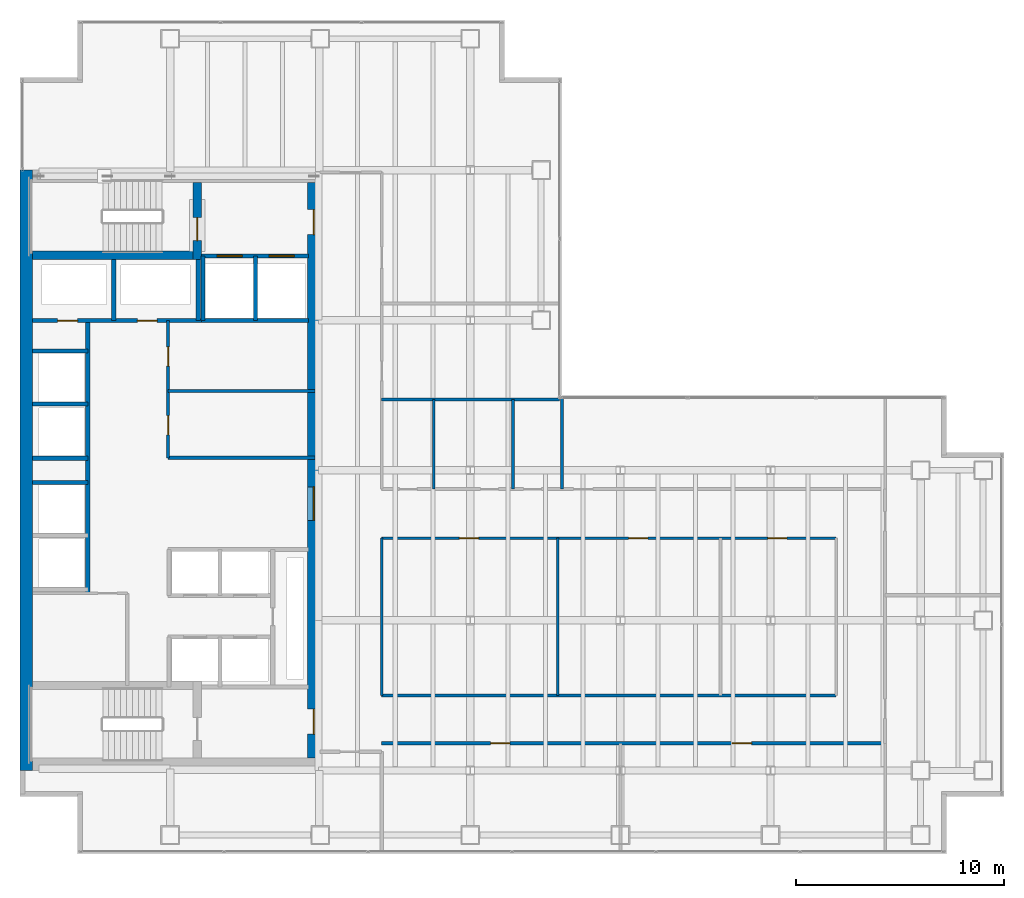
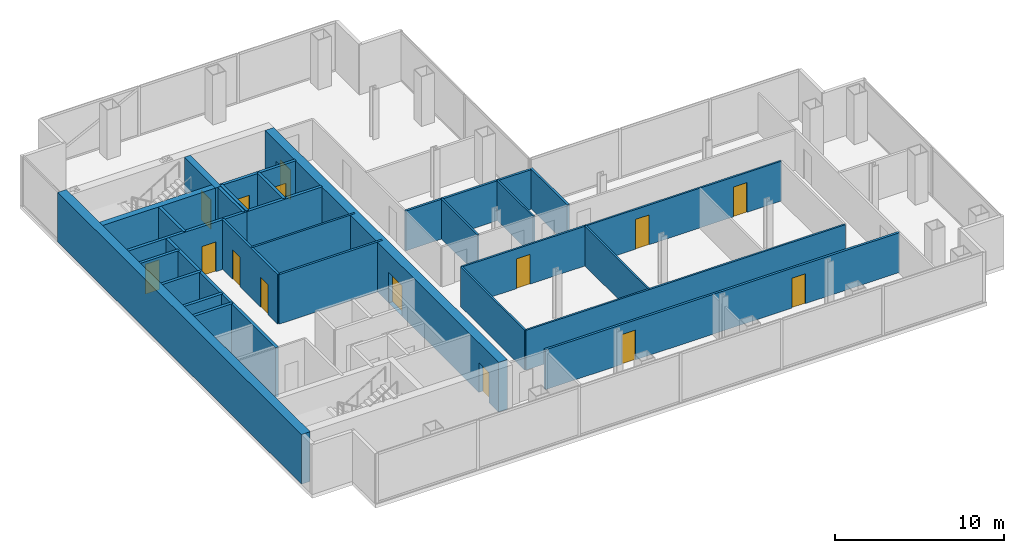
# One storey, part 21 of 23: 28 walls, 15 doors, 15 openings.
"""IFC4 building model written with IfcOpenShell, lengths in metres."""

from ifc_helpers import new_model, si_unit, direction, frame, frame_2d, origin, place, context, subcontext, project, spatial, rectangle, extrude, material, layer, layer_set, type_object, element, fill, save


model = new_model("IFC4")

# Units and contexts
model_context = context("Model", 3, precision=1e-05, world=origin(), true_north=direction((0.0, 1.0)))
body_context = subcontext(model_context, "Body", "Model", "MODEL_VIEW")
ifc_project = project(units=[si_unit("LENGTHUNIT", "METRE"), si_unit("AREAUNIT", "SQUARE_METRE"), si_unit("VOLUMEUNIT", "CUBIC_METRE"), si_unit("PLANEANGLEUNIT", "RADIAN"), si_unit("MASSUNIT", "GRAM", prefix="KILO")], contexts=[model_context])

# Site, building, storey
site_placement = place(None, origin())
site = spatial("IfcSite", under=ifc_project, at=site_placement, CompositionType="ELEMENT")
building_placement = place(site_placement, origin())
building = spatial("IfcBuilding", under=site, at=building_placement, Name="Cobrela Telecom Tower", CompositionType="ELEMENT")
storey_placement = place(building_placement, frame((0.0, 0.0, 125.300048828125)))
storey = spatial("IfcBuildingStorey", under=building, at=storey_placement, Name="L31", CompositionType="ELEMENT", Elevation=125.300048828125)

# Wall
ifc_material_1 = material(Name="Concrete C50/60", Category="concrete")
ifc_layer_1 = layer(ifc_material_1, 0.60009765625)
ifc_layer_set_1 = layer_set([ifc_layer_1], Name="Concrete C50/60")
wall_type_1 = type_object("IfcWallType", Name="WALL-CORE-C50-600", PredefinedType="SHEAR", material=ifc_layer_set_1)
wall_1_placement = place(storey_placement, frame((0.300048828125, 7.199951171875, 0.0), z_axis=(0.0, 0.0, 1.0), x_axis=(0.0, 1.0, 0.0)))
element("IfcWall", 1, at=wall_1_placement, inside=storey, type_object=wall_type_1, Name="L31 West Core Shear Wall", PredefinedType="SHEAR", context=body_context, shape_type="SweptSolid", body=[
    extrude(rectangle(XDim=28.800048828125, YDim=0.60009765625, at=frame_2d((14.39990234375, 0.0))), origin(), (0.0, 0.0, 1.0), 3.579833984375),
])

# Wall, openings, doors
wall_2_placement = place(storey_placement, frame((14.10009765625, 35.39990234375, 0.0), z_axis=(0.0, 0.0, 1.0), x_axis=(0.0, -1.0, 0.0)))
wall_2 = element("IfcWall", 2, at=wall_2_placement, inside=storey, type_object=wall_type_1, Name="L31 East Core Shear Wall", PredefinedType="SHEAR", context=body_context, shape_type="SweptSolid", body=[
    extrude(rectangle(XDim=27.599853515625, YDim=0.60009765625, at=frame_2d((13.7998046875, 0.0))), origin(), (0.0, 0.0, 1.0), 3.579833984375),
])
opening_1_placement = place(wall_2_placement, frame((1.300048828125, 0.0, 0.0)))
opening_1 = element("IfcOpeningElement", 3, at=opening_1_placement, cuts=wall_2, Name="Opening DR-19", PredefinedType="OPENING", context=body_context, shape_type="SweptSolid", body=[
    extrude(rectangle(XDim=1.199951171875, YDim=2.14990234375, at=frame_2d((0.60009765625, 1.074951171875))), frame((0.0, 0.31201171875, 0.0), z_axis=(0.0, -1.0, 0.0), x_axis=(1.0, 0.0, 0.0)), (0.0, 0.0, 1.0), 0.6240234375),
])
opening_2_placement = place(wall_2_placement, frame((25.25, 0.0, 0.0)))
opening_2 = element("IfcOpeningElement", 4, at=opening_2_placement, cuts=wall_2, Name="Opening DR-19", PredefinedType="OPENING", context=body_context, shape_type="SweptSolid", body=[
    extrude(rectangle(XDim=1.199951171875, YDim=2.14990234375, at=frame_2d((0.60009765625, 1.074951171875))), frame((0.0, 0.31201171875, 0.0), z_axis=(0.0, -1.0, 0.0), x_axis=(1.0, 0.0, 0.0)), (0.0, 0.0, 1.0), 0.6240234375),
])
opening_3_placement = place(wall_2_placement, frame((14.60009765625, 0.0, 0.0)))
opening_3 = element("IfcOpeningElement", 5, at=opening_3_placement, cuts=wall_2, Name="Opening DR-51", PredefinedType="OPENING", context=body_context, shape_type="SweptSolid", body=[
    extrude(rectangle(XDim=1.60009765625, YDim=2.199951171875, at=frame_2d((0.800048828125, 1.10009765625))), frame((0.0, 0.31201171875, 0.0), z_axis=(0.0, -1.0, 0.0), x_axis=(1.0, 0.0, 0.0)), (0.0, 0.0, 1.0), 0.6240234375),
])
ifc_material_2 = material(Name="Steel ASTM A36", Category="steel")
door_type_1 = type_object("IfcDoorType", Name="DOOR-FD60-1200", OperationType="SINGLE_SWING_LEFT", PredefinedType="DOOR", material=ifc_material_2)
door_1_placement = place(opening_1_placement, origin())
door_1 = element("IfcDoor", 6, at=door_1_placement, inside=storey, type_object=door_type_1, Name="L31 Door DR-19", OperationType="SINGLE_SWING_LEFT", OverallHeight=2.14990234375, OverallWidth=1.199951171875, PredefinedType="DOOR", context=body_context, shape_type="SweptSolid", body=[
    extrude(rectangle(XDim=1.199951171875, YDim=2.14990234375, at=frame_2d((0.60009765625, 1.074951171875))), frame((0.0, 0.02490234375, 0.0), z_axis=(0.0, -1.0, 0.0), x_axis=(1.0, 0.0, 0.0)), (0.0, 0.0, 1.0), 0.050048828125),
])
fill(opening_1, door_1)
door_2_placement = place(opening_2_placement, origin())
door_2 = element("IfcDoor", 7, at=door_2_placement, inside=storey, type_object=door_type_1, Name="L31 Door DR-19", OperationType="SINGLE_SWING_RIGHT", OverallHeight=2.14990234375, OverallWidth=1.199951171875, PredefinedType="DOOR", context=body_context, shape_type="SweptSolid", body=[
    extrude(rectangle(XDim=1.199951171875, YDim=2.14990234375, at=frame_2d((0.60009765625, 1.074951171875))), frame((0.0, 0.02490234375, 0.0), z_axis=(0.0, -1.0, 0.0), x_axis=(1.0, 0.0, 0.0)), (0.0, 0.0, 1.0), 0.050048828125),
])
fill(opening_2, door_2)
door_type_2 = type_object("IfcDoorType", Name="DOOR-FD60-1600", OperationType="SINGLE_SWING_LEFT", PredefinedType="DOOR", material=ifc_material_2)
door_3_placement = place(opening_3_placement, origin())
door_3 = element("IfcDoor", 8, at=door_3_placement, inside=storey, type_object=door_type_2, Name="L31 Door DR-51", OperationType="DOUBLE_DOOR_SINGLE_SWING", OverallHeight=2.199951171875, OverallWidth=1.60009765625, PredefinedType="DOOR", context=body_context, shape_type="SweptSolid", body=[
    extrude(rectangle(XDim=1.60009765625, YDim=2.199951171875, at=frame_2d((0.800048828125, 1.10009765625))), frame((0.0, 0.02490234375, 0.0), z_axis=(0.0, -1.0, 0.0), x_axis=(1.0, 0.0, 0.0)), (0.0, 0.0, 1.0), 0.050048828125),
])
fill(opening_3, door_3)

# Walls
ifc_material_3 = material(Name="Fire-Rated Gypsum Plasterboard")
ifc_layer_2 = layer(ifc_material_3, 0.125)
ifc_layer_set_2 = layer_set([ifc_layer_2], Name="Fire-Rated Gypsum Plasterboard")
wall_type_2 = type_object("IfcWallType", Name="WALL-PART-125", PredefinedType="PARTITIONING", material=ifc_layer_set_2)
wall_3_placement = place(storey_placement, frame((17.35009765625, 10.800048828125, 0.0), z_axis=(0.0, 0.0, 1.0), x_axis=(0.0, 1.0, 0.0)))
element("IfcWall", 9, at=wall_3_placement, inside=storey, type_object=wall_type_2, Name="L31 Interior Partition W-ISL-W", PredefinedType="PARTITIONING", context=body_context, shape_type="SweptSolid", body=[
    extrude(rectangle(XDim=7.550048828125, YDim=0.125, at=frame_2d((3.77490234375, 0.0))), origin(), (0.0, 0.0, 1.0), 2.868896484375),
])
wall_4_placement = place(storey_placement, frame((17.35009765625, 10.800048828125, 0.0), z_axis=(0.0, 0.0, 1.0), x_axis=(1.0, 0.0, 0.0)))
element("IfcWall", 10, at=wall_4_placement, inside=storey, type_object=wall_type_2, Name="L31 Interior Partition W-ISL-S", PredefinedType="PARTITIONING", context=body_context, shape_type="SweptSolid", body=[
    extrude(rectangle(XDim=21.7998046875, YDim=0.125, at=frame_2d((10.89990234375, 0.0))), origin(), (0.0, 0.0, 1.0), 2.868896484375),
])

# Wall, openings, doors
wall_5_placement = place(storey_placement, frame((17.35009765625, 18.35009765625, 0.0), z_axis=(0.0, 0.0, 1.0), x_axis=(1.0, 0.0, 0.0)))
wall_5 = element("IfcWall", 11, at=wall_5_placement, inside=storey, type_object=wall_type_2, Name="L31 Interior Partition W-ISL-N", PredefinedType="PARTITIONING", context=body_context, shape_type="SweptSolid", body=[
    extrude(rectangle(XDim=21.7998046875, YDim=0.125, at=frame_2d((10.89990234375, 0.0))), origin(), (0.0, 0.0, 1.0), 2.868896484375),
])
opening_4_placement = place(wall_5_placement, frame((3.72998046875, 0.0, 0.0)))
opening_4 = element("IfcOpeningElement", 12, at=opening_4_placement, cuts=wall_5, Name="Opening DR-45", PredefinedType="OPENING", context=body_context, shape_type="SweptSolid", body=[
    extrude(rectangle(XDim=0.919921875, YDim=2.14990234375, at=frame_2d((0.4599609375, 1.074951171875))), frame((0.0, 0.074462890625, 0.0), z_axis=(0.0, -1.0, 0.0), x_axis=(1.0, 0.0, 0.0)), (0.0, 0.0, 1.0), 0.14892578125),
])
opening_5_placement = place(wall_5_placement, frame((11.85009765625, 0.0, 0.0)))
opening_5 = element("IfcOpeningElement", 13, at=opening_5_placement, cuts=wall_5, Name="Opening DR-45", PredefinedType="OPENING", context=body_context, shape_type="SweptSolid", body=[
    extrude(rectangle(XDim=0.919921875, YDim=2.14990234375, at=frame_2d((0.4599609375, 1.074951171875))), frame((0.0, 0.074462890625, 0.0), z_axis=(0.0, -1.0, 0.0), x_axis=(1.0, 0.0, 0.0)), (0.0, 0.0, 1.0), 0.14892578125),
])
opening_6_placement = place(wall_5_placement, frame((18.52001953125, 0.0, 0.0)))
opening_6 = element("IfcOpeningElement", 14, at=opening_6_placement, cuts=wall_5, Name="Opening DR-45", PredefinedType="OPENING", context=body_context, shape_type="SweptSolid", body=[
    extrude(rectangle(XDim=0.919921875, YDim=2.14990234375, at=frame_2d((0.4599609375, 1.074951171875))), frame((0.0, 0.074462890625, 0.0), z_axis=(0.0, -1.0, 0.0), x_axis=(1.0, 0.0, 0.0)), (0.0, 0.0, 1.0), 0.14892578125),
])
ifc_material_4 = material(Name="Solid Engineered Oak Timber", Category="wood")
door_type_3 = type_object("IfcDoorType", Name="DOOR-INT-920", OperationType="SINGLE_SWING_LEFT", PredefinedType="DOOR", material=ifc_material_4)
door_4_placement = place(opening_4_placement, origin())
door_4 = element("IfcDoor", 15, at=door_4_placement, inside=storey, type_object=door_type_3, Name="L31 Door DR-45", OperationType="SINGLE_SWING_LEFT", OverallHeight=2.14990234375, OverallWidth=0.919921875, PredefinedType="DOOR", context=body_context, shape_type="SweptSolid", body=[
    extrude(rectangle(XDim=0.919921875, YDim=2.14990234375, at=frame_2d((0.4599609375, 1.074951171875))), frame((0.0, 0.02490234375, 0.0), z_axis=(0.0, -1.0, 0.0), x_axis=(1.0, 0.0, 0.0)), (0.0, 0.0, 1.0), 0.050048828125),
])
fill(opening_4, door_4)
door_5_placement = place(opening_5_placement, origin())
door_5 = element("IfcDoor", 16, at=door_5_placement, inside=storey, type_object=door_type_3, Name="L31 Door DR-45", OperationType="SINGLE_SWING_RIGHT", OverallHeight=2.14990234375, OverallWidth=0.919921875, PredefinedType="DOOR", context=body_context, shape_type="SweptSolid", body=[
    extrude(rectangle(XDim=0.919921875, YDim=2.14990234375, at=frame_2d((0.4599609375, 1.074951171875))), frame((0.0, 0.02490234375, 0.0), z_axis=(0.0, -1.0, 0.0), x_axis=(1.0, 0.0, 0.0)), (0.0, 0.0, 1.0), 0.050048828125),
])
fill(opening_5, door_5)
door_6_placement = place(opening_6_placement, origin())
door_6 = element("IfcDoor", 17, at=door_6_placement, inside=storey, type_object=door_type_3, Name="L31 Door DR-45", OperationType="SINGLE_SWING_LEFT", OverallHeight=2.14990234375, OverallWidth=0.919921875, PredefinedType="DOOR", context=body_context, shape_type="SweptSolid", body=[
    extrude(rectangle(XDim=0.919921875, YDim=2.14990234375, at=frame_2d((0.4599609375, 1.074951171875))), frame((0.0, 0.02490234375, 0.0), z_axis=(0.0, -1.0, 0.0), x_axis=(1.0, 0.0, 0.0)), (0.0, 0.0, 1.0), 0.050048828125),
])
fill(opening_6, door_6)

# Walls
wall_6_placement = place(storey_placement, frame((25.800048828125, 10.800048828125, 0.0), z_axis=(0.0, 0.0, 1.0), x_axis=(0.0, 1.0, 0.0)))
element("IfcWall", 18, at=wall_6_placement, inside=storey, type_object=wall_type_2, Name="L31 Interior Partition W-ISLV-1", PredefinedType="PARTITIONING", context=body_context, shape_type="SweptSolid", body=[
    extrude(rectangle(XDim=7.550048828125, YDim=0.125, at=frame_2d((3.77490234375, 0.0))), origin(), (0.0, 0.0, 1.0), 2.868896484375),
])
for number, where, z_axis, x_axis, name in (
    (19, (19.85009765625, 20.699951171875, 0.0), (0.0, 0.0, 1.0), (0.0, 1.0, 0.0), "L31 Interior Partition W-WC-V1"),
    (20, (23.64990234375, 20.699951171875, 0.0), (0.0, 0.0, 1.0), (0.0, 1.0, 0.0), "L31 Interior Partition W-WC-V2"),
):
    element("IfcWall", number, at=place(storey_placement, frame(where, z_axis=z_axis, x_axis=x_axis)), inside=storey, type_object=wall_type_2, Name=name, PredefinedType="PARTITIONING", context=body_context, shape_type="SweptSolid", body=[
        extrude(rectangle(XDim=4.300048828125, YDim=0.125, at=frame_2d((2.14990234375, 0.0))), origin(), (0.0, 0.0, 1.0), 2.868896484375),
    ])
ifc_layer_3 = layer(ifc_material_3, 0.135009765625)
ifc_layer_set_3 = layer_set([ifc_layer_3], Name="Fire-Rated Gypsum Plasterboard")
wall_type_3 = type_object("IfcWallType", Name="WALL-PART-135", PredefinedType="PARTITIONING", material=ifc_layer_set_3)
wall_7_placement = place(storey_placement, frame((7.10009765625, 25.39990234375, 0.0), z_axis=(0.0, 0.0, 1.0), x_axis=(1.0, 0.0, 0.0)))
element("IfcWall", 21, at=wall_7_placement, inside=storey, type_object=wall_type_3, Name="L31 Interior Partition CW-RECL-H", PredefinedType="PARTITIONING", context=body_context, shape_type="SweptSolid", body=[
    extrude(rectangle(XDim=7.0498046875, YDim=0.135009765625, at=frame_2d((3.52490234375, 0.0))), origin(), (0.0, 0.0, 1.0), 3.579833984375),
])
ifc_layer_4 = layer(ifc_material_3, 0.14990234375)
ifc_layer_set_4 = layer_set([ifc_layer_4], Name="Fire-Rated Gypsum Plasterboard")
wall_type_4 = type_object("IfcWallType", Name="WALL-PART-150", PredefinedType="PARTITIONING", material=ifc_layer_set_4)
wall_8_placement = place(storey_placement, frame((7.10009765625, 22.199951171875, 0.0), z_axis=(0.0, 0.0, 1.0), x_axis=(1.0, 0.0, 0.0)))
element("IfcWall", 22, at=wall_8_placement, inside=storey, type_object=wall_type_4, Name="L31 Interior Partition CW-RECL-S", PredefinedType="PARTITIONING", context=body_context, shape_type="SweptSolid", body=[
    extrude(rectangle(XDim=7.0498046875, YDim=0.14990234375, at=frame_2d((3.52490234375, 0.0))), origin(), (0.0, 0.0, 1.0), 3.579833984375),
])
wall_9_placement = place(storey_placement, frame((17.35009765625, 25.0, 0.0), z_axis=(0.0, 0.0, 1.0), x_axis=(1.0, 0.0, 0.0)))
element("IfcWall", 23, at=wall_9_placement, inside=storey, type_object=wall_type_4, Name="L31 Interior Partition W-WC-N", PredefinedType="PARTITIONING", context=body_context, shape_type="SweptSolid", body=[
    extrude(rectangle(XDim=8.52978515625, YDim=0.14990234375, at=frame_2d((4.264892578125, 0.0))), origin(), (0.0, 0.0, 1.0), 2.868896484375),
])
wall_10_placement = place(storey_placement, frame((26.0, 20.699951171875, 0.0), z_axis=(0.0, 0.0, 1.0), x_axis=(0.0, 1.0, 0.0)))
element("IfcWall", 24, at=wall_10_placement, inside=storey, type_object=wall_type_4, Name="L31 Interior Partition W-UEN-W", PredefinedType="PARTITIONING", context=body_context, shape_type="SweptSolid", body=[
    extrude(rectangle(XDim=4.380126953125, YDim=0.14990234375, at=frame_2d((2.18994140625, 0.0))), origin(), (0.0, 0.0, 1.0), 2.868896484375),
])

# Wall, openings, doors
ifc_layer_5 = layer(ifc_material_3, 0.159912109375)
ifc_layer_set_5 = layer_set([ifc_layer_5], Name="Fire-Rated Gypsum Plasterboard")
wall_type_5 = type_object("IfcWallType", Name="WALL-PART-160", PredefinedType="PARTITIONING", material=ifc_layer_set_5)
wall_11_placement = place(storey_placement, frame((7.10009765625, 22.199951171875, 0.0), z_axis=(0.0, 0.0, 1.0), x_axis=(0.0, 1.0, 0.0)))
wall_11 = element("IfcWall", 25, at=wall_11_placement, inside=storey, type_object=wall_type_5, Name="L31 Interior Partition CW-RECL-W", PredefinedType="PARTITIONING", context=body_context, shape_type="SweptSolid", body=[
    extrude(rectangle(XDim=6.580078125, YDim=0.159912109375, at=frame_2d((3.2900390625, 0.0))), origin(), (0.0, 0.0, 1.0), 3.579833984375),
])
opening_7_placement = place(wall_11_placement, frame((1.10009765625, 0.0, 0.0)))
opening_7 = element("IfcOpeningElement", 26, at=opening_7_placement, cuts=wall_11, Name="Opening DR-45", PredefinedType="OPENING", context=body_context, shape_type="SweptSolid", body=[
    extrude(rectangle(XDim=0.919921875, YDim=2.14990234375, at=frame_2d((0.4599609375, 1.074951171875))), frame((0.0, 0.091796875, 0.0), z_axis=(0.0, -1.0, 0.0), x_axis=(1.0, 0.0, 0.0)), (0.0, 0.0, 1.0), 0.183837890625),
])
opening_8_placement = place(wall_11_placement, frame((4.39990234375, 0.0, 0.0)))
opening_8 = element("IfcOpeningElement", 27, at=opening_8_placement, cuts=wall_11, Name="Opening DR-45", PredefinedType="OPENING", context=body_context, shape_type="SweptSolid", body=[
    extrude(rectangle(XDim=0.919921875, YDim=2.14990234375, at=frame_2d((0.4599609375, 1.074951171875))), frame((0.0, 0.091796875, 0.0), z_axis=(0.0, -1.0, 0.0), x_axis=(1.0, 0.0, 0.0)), (0.0, 0.0, 1.0), 0.183837890625),
])
door_7_placement = place(opening_7_placement, origin())
door_7 = element("IfcDoor", 28, at=door_7_placement, inside=storey, type_object=door_type_3, Name="L31 Door DR-45", OperationType="SINGLE_SWING_RIGHT", OverallHeight=2.14990234375, OverallWidth=0.919921875, PredefinedType="DOOR", context=body_context, shape_type="SweptSolid", body=[
    extrude(rectangle(XDim=0.919921875, YDim=2.14990234375, at=frame_2d((0.4599609375, 1.074951171875))), frame((0.0, 0.02490234375, 0.0), z_axis=(0.0, -1.0, 0.0), x_axis=(1.0, 0.0, 0.0)), (0.0, 0.0, 1.0), 0.050048828125),
])
fill(opening_7, door_7)
door_8_placement = place(opening_8_placement, origin())
door_8 = element("IfcDoor", 29, at=door_8_placement, inside=storey, type_object=door_type_3, Name="L31 Door DR-45", OperationType="SINGLE_SWING_LEFT", OverallHeight=2.14990234375, OverallWidth=0.919921875, PredefinedType="DOOR", context=body_context, shape_type="SweptSolid", body=[
    extrude(rectangle(XDim=0.919921875, YDim=2.14990234375, at=frame_2d((0.4599609375, 1.074951171875))), frame((0.0, 0.02490234375, 0.0), z_axis=(0.0, -1.0, 0.0), x_axis=(1.0, 0.0, 0.0)), (0.0, 0.0, 1.0), 0.050048828125),
])
fill(opening_8, door_8)

wall_12_placement = place(storey_placement, frame((17.35009765625, 8.5, 0.0), z_axis=(0.0, 0.0, 1.0), x_axis=(1.0, 0.0, 0.0)))
wall_12 = element("IfcWall", 30, at=wall_12_placement, inside=storey, type_object=wall_type_5, Name="L31 Interior Partition W-US-S", PredefinedType="PARTITIONING", context=body_context, shape_type="SweptSolid", body=[
    extrude(rectangle(XDim=24.14990234375, YDim=0.159912109375, at=frame_2d((12.074951171875, 0.0))), origin(), (0.0, 0.0, 1.0), 2.868896484375),
])
opening_9_placement = place(wall_12_placement, frame((5.22998046875, 0.0, 0.0)))
opening_9 = element("IfcOpeningElement", 31, at=opening_9_placement, cuts=wall_12, Name="Opening DR-45", PredefinedType="OPENING", context=body_context, shape_type="SweptSolid", body=[
    extrude(rectangle(XDim=0.919921875, YDim=2.14990234375, at=frame_2d((0.4599609375, 1.074951171875))), frame((0.0, 0.091796875, 0.0), z_axis=(0.0, -1.0, 0.0), x_axis=(1.0, 0.0, 0.0)), (0.0, 0.0, 1.0), 0.183837890625),
])
opening_10_placement = place(wall_12_placement, frame((16.820068359375, 0.0, 0.0)))
opening_10 = element("IfcOpeningElement", 32, at=opening_10_placement, cuts=wall_12, Name="Opening DR-45", PredefinedType="OPENING", context=body_context, shape_type="SweptSolid", body=[
    extrude(rectangle(XDim=0.919921875, YDim=2.14990234375, at=frame_2d((0.4599609375, 1.074951171875))), frame((0.0, 0.091796875, 0.0), z_axis=(0.0, -1.0, 0.0), x_axis=(1.0, 0.0, 0.0)), (0.0, 0.0, 1.0), 0.183837890625),
])
door_9_placement = place(opening_9_placement, origin())
door_9 = element("IfcDoor", 33, at=door_9_placement, inside=storey, type_object=door_type_3, Name="L31 Door DR-45", OperationType="SINGLE_SWING_LEFT", OverallHeight=2.14990234375, OverallWidth=0.919921875, PredefinedType="DOOR", context=body_context, shape_type="SweptSolid", body=[
    extrude(rectangle(XDim=0.919921875, YDim=2.14990234375, at=frame_2d((0.4599609375, 1.074951171875))), frame((0.0, 0.02490234375, 0.0), z_axis=(0.0, -1.0, 0.0), x_axis=(1.0, 0.0, 0.0)), (0.0, 0.0, 1.0), 0.050048828125),
])
fill(opening_9, door_9)
door_10_placement = place(opening_10_placement, origin())
door_10 = element("IfcDoor", 34, at=door_10_placement, inside=storey, type_object=door_type_3, Name="L31 Door DR-45", OperationType="SINGLE_SWING_RIGHT", OverallHeight=2.14990234375, OverallWidth=0.919921875, PredefinedType="DOOR", context=body_context, shape_type="SweptSolid", body=[
    extrude(rectangle(XDim=0.919921875, YDim=2.14990234375, at=frame_2d((0.4599609375, 1.074951171875))), frame((0.0, 0.02490234375, 0.0), z_axis=(0.0, -1.0, 0.0), x_axis=(1.0, 0.0, 0.0)), (0.0, 0.0, 1.0), 0.050048828125),
])
fill(opening_10, door_10)

ifc_layer_6 = layer(ifc_material_3, 0.199951171875)
ifc_layer_set_6 = layer_set([ifc_layer_6], Name="Fire-Rated Gypsum Plasterboard")
wall_type_6 = type_object("IfcWallType", Name="WALL-SHAFT-200", PredefinedType="PARTITIONING", material=ifc_layer_set_6)
wall_13_placement = place(storey_placement, frame((8.699951171875, 31.8798828125, 0.0), z_axis=(0.0, 0.0, 1.0), x_axis=(1.0, 0.0, 0.0)))
wall_13 = element("IfcWall", 35, at=wall_13_placement, inside=storey, type_object=wall_type_6, Name="L31 Shaft Enclosure CW-FFL-S", PredefinedType="PARTITIONING", context=body_context, shape_type="SweptSolid", body=[
    extrude(rectangle(XDim=5.150146484375, YDim=0.199951171875, at=frame_2d((2.5751953125, 0.0))), origin(), (0.0, 0.0, 1.0), 3.579833984375),
])
opening_11_placement = place(wall_13_placement, frame((0.75, 0.0, 0.0)))
opening_11 = element("IfcOpeningElement", 36, at=opening_11_placement, cuts=wall_13, Name="Opening LD-2", PredefinedType="OPENING", context=body_context, shape_type="SweptSolid", body=[
    extrude(rectangle(XDim=1.199951171875, YDim=2.199951171875, at=frame_2d((0.60009765625, 1.10009765625))), frame((0.0, 0.11181640625, 0.0), z_axis=(0.0, -1.0, 0.0), x_axis=(1.0, 0.0, 0.0)), (0.0, 0.0, 1.0), 0.223876953125),
])
opening_12_placement = place(wall_13_placement, frame((3.25, 0.0, 0.0)))
opening_12 = element("IfcOpeningElement", 37, at=opening_12_placement, cuts=wall_13, Name="Opening LD-2", PredefinedType="OPENING", context=body_context, shape_type="SweptSolid", body=[
    extrude(rectangle(XDim=1.199951171875, YDim=2.199951171875, at=frame_2d((0.60009765625, 1.10009765625))), frame((0.0, 0.11181640625, 0.0), z_axis=(0.0, -1.0, 0.0), x_axis=(1.0, 0.0, 0.0)), (0.0, 0.0, 1.0), 0.223876953125),
])
door_type_4 = type_object("IfcDoorType", Name="DOOR-LD-FFL", OperationType="SINGLE_SWING_LEFT", PredefinedType="DOOR", material=ifc_material_2)
door_11_placement = place(opening_11_placement, origin())
door_11 = element("IfcDoor", 38, at=door_11_placement, inside=storey, type_object=door_type_4, Name="L31 Lift Landing Door LD-2", OperationType="DOUBLE_DOOR_SLIDING", OverallHeight=2.199951171875, OverallWidth=1.199951171875, PredefinedType="DOOR", context=body_context, shape_type="SweptSolid", body=[
    extrude(rectangle(XDim=1.199951171875, YDim=2.199951171875, at=frame_2d((0.60009765625, 1.10009765625))), frame((0.0, 0.02490234375, 0.0), z_axis=(0.0, -1.0, 0.0), x_axis=(1.0, 0.0, 0.0)), (0.0, 0.0, 1.0), 0.050048828125),
])
fill(opening_11, door_11)
door_12_placement = place(opening_12_placement, origin())
door_12 = element("IfcDoor", 39, at=door_12_placement, inside=storey, type_object=door_type_4, Name="L31 Lift Landing Door LD-2", OperationType="DOUBLE_DOOR_SLIDING", OverallHeight=2.199951171875, OverallWidth=1.199951171875, PredefinedType="DOOR", context=body_context, shape_type="SweptSolid", body=[
    extrude(rectangle(XDim=1.199951171875, YDim=2.199951171875, at=frame_2d((0.60009765625, 1.10009765625))), frame((0.0, 0.02490234375, 0.0), z_axis=(0.0, -1.0, 0.0), x_axis=(1.0, 0.0, 0.0)), (0.0, 0.0, 1.0), 0.050048828125),
])
fill(opening_12, door_12)

# Walls
wall_14_placement = place(storey_placement, frame((8.699951171875, 28.780029296875, 0.0), z_axis=(0.0, 0.0, 1.0), x_axis=(1.0, 0.0, 0.0)))
element("IfcWall", 40, at=wall_14_placement, inside=storey, type_object=wall_type_6, Name="L31 Shaft Enclosure CW-FFL-S2", PredefinedType="PARTITIONING", context=body_context, shape_type="SweptSolid", body=[
    extrude(rectangle(XDim=5.150146484375, YDim=0.199951171875, at=frame_2d((2.5751953125, 0.0))), origin(), (0.0, 0.0, 1.0), 3.579833984375),
])
for number, where, z_axis, x_axis, name in (
    (41, (8.780029296875, 28.780029296875, 0.0), (0.0, 0.0, 1.0), (0.0, 1.0, 0.0), "L31 Shaft Enclosure CW-FFL-W"),
    (42, (11.300048828125, 28.780029296875, 0.0), (0.0, 0.0, 1.0), (0.0, 1.0, 0.0), "L31 Shaft Enclosure CW-FFL-M"),
):
    element("IfcWall", number, at=place(storey_placement, frame(where, z_axis=z_axis, x_axis=x_axis)), inside=storey, type_object=wall_type_6, Name=name, PredefinedType="PARTITIONING", context=body_context, shape_type="SweptSolid", body=[
        extrude(rectangle(XDim=3.099853515625, YDim=0.199951171875, at=frame_2d((1.5498046875, 0.0))), origin(), (0.0, 0.0, 1.0), 3.579833984375),
    ])

# Wall, openings, doors
wall_15_placement = place(storey_placement, frame((0.60009765625, 28.780029296875, 0.0), z_axis=(0.0, 0.0, 1.0), x_axis=(1.0, 0.0, 0.0)))
wall_15 = element("IfcWall", 43, at=wall_15_placement, inside=storey, type_object=wall_type_6, Name="L31 Shaft Enclosure CW-RIS-S", PredefinedType="PARTITIONING", context=body_context, shape_type="SweptSolid", body=[
    extrude(rectangle(XDim=8.179931640625, YDim=0.199951171875, at=frame_2d((4.08984375, 0.0))), origin(), (0.0, 0.0, 1.0), 3.579833984375),
])
opening_13_placement = place(wall_15_placement, frame((1.2099609375, 0.0, 0.0)))
opening_13 = element("IfcOpeningElement", 44, at=opening_13_placement, cuts=wall_15, Name="Opening DR-65", PredefinedType="OPENING", context=body_context, shape_type="SweptSolid", body=[
    extrude(rectangle(XDim=0.949951171875, YDim=2.14990234375, at=frame_2d((0.47509765625, 1.074951171875))), frame((0.0, 0.11181640625, 0.0), z_axis=(0.0, -1.0, 0.0), x_axis=(1.0, 0.0, 0.0)), (0.0, 0.0, 1.0), 0.223876953125),
])
opening_14_placement = place(wall_15_placement, frame((5.030029296875, 0.0, 0.0)))
opening_14 = element("IfcOpeningElement", 45, at=opening_14_placement, cuts=wall_15, Name="Opening DR-65", PredefinedType="OPENING", context=body_context, shape_type="SweptSolid", body=[
    extrude(rectangle(XDim=0.949951171875, YDim=2.14990234375, at=frame_2d((0.47509765625, 1.074951171875))), frame((0.0, 0.11181640625, 0.0), z_axis=(0.0, -1.0, 0.0), x_axis=(1.0, 0.0, 0.0)), (0.0, 0.0, 1.0), 0.223876953125),
])
door_type_5 = type_object("IfcDoorType", Name="DOOR-FD60-950", OperationType="SINGLE_SWING_LEFT", PredefinedType="DOOR", material=ifc_material_2)
door_13_placement = place(opening_13_placement, origin())
door_13 = element("IfcDoor", 46, at=door_13_placement, inside=storey, type_object=door_type_5, Name="L31 Door DR-65", OperationType="SINGLE_SWING_LEFT", OverallHeight=2.14990234375, OverallWidth=0.949951171875, PredefinedType="DOOR", context=body_context, shape_type="SweptSolid", body=[
    extrude(rectangle(XDim=0.949951171875, YDim=2.14990234375, at=frame_2d((0.47509765625, 1.074951171875))), frame((0.0, 0.02490234375, 0.0), z_axis=(0.0, -1.0, 0.0), x_axis=(1.0, 0.0, 0.0)), (0.0, 0.0, 1.0), 0.050048828125),
])
fill(opening_13, door_13)
door_14_placement = place(opening_14_placement, origin())
door_14 = element("IfcDoor", 47, at=door_14_placement, inside=storey, type_object=door_type_5, Name="L31 Door DR-65", OperationType="SINGLE_SWING_RIGHT", OverallHeight=2.14990234375, OverallWidth=0.949951171875, PredefinedType="DOOR", context=body_context, shape_type="SweptSolid", body=[
    extrude(rectangle(XDim=0.949951171875, YDim=2.14990234375, at=frame_2d((0.47509765625, 1.074951171875))), frame((0.0, 0.02490234375, 0.0), z_axis=(0.0, -1.0, 0.0), x_axis=(1.0, 0.0, 0.0)), (0.0, 0.0, 1.0), 0.050048828125),
])
fill(opening_14, door_14)

# Walls
for number, where, z_axis, x_axis, name in (
    (48, (4.5, 28.780029296875, 0.0), (0.0, 0.0, 1.0), (0.0, 1.0, 0.0), "L31 Shaft Enclosure CW-RIS-M"),
    (49, (8.550048828125, 28.780029296875, 0.0), (0.0, 0.0, 1.0), (0.0, 1.0, 0.0), "L31 Shaft Enclosure CW-RIS-E"),
):
    element("IfcWall", number, at=place(storey_placement, frame(where, z_axis=z_axis, x_axis=x_axis)), inside=storey, type_object=wall_type_6, Name=name, PredefinedType="PARTITIONING", context=body_context, shape_type="SweptSolid", body=[
        extrude(rectangle(XDim=2.93994140625, YDim=0.199951171875, at=frame_2d((1.469970703125, 0.0))), origin(), (0.0, 0.0, 1.0), 3.579833984375),
    ])
wall_16_placement = place(storey_placement, frame((3.25, 15.699951171875, 0.0), z_axis=(0.0, 0.0, 1.0), x_axis=(0.0, 1.0, 0.0)))
element("IfcWall", 50, at=wall_16_placement, inside=storey, type_object=wall_type_6, Name="L31 Shaft Enclosure CW-PLH-E", PredefinedType="PARTITIONING", context=body_context, shape_type="SweptSolid", body=[
    extrude(rectangle(XDim=13.080078125, YDim=0.199951171875, at=frame_2d((6.5400390625, 0.0))), origin(), (0.0, 0.0, 1.0), 3.579833984375),
])
for number, where, z_axis, x_axis, name in (
    (51, (0.60009765625, 22.179931640625, 0.0), (0.0, 0.0, 1.0), (1.0, 0.0, 0.0), "L31 Shaft Enclosure CW-PLH-D11"),
    (52, (0.60009765625, 24.780029296875, 0.0), (0.0, 0.0, 1.0), (1.0, 0.0, 0.0), "L31 Shaft Enclosure CW-PLH-D12"),
    (53, (0.60009765625, 21.02001953125, 0.0), (0.0, 0.0, 1.0), (1.0, 0.0, 0.0), "L31 Shaft Enclosure CW-PLH-MID"),
    (54, (0.60009765625, 27.320068359375, 0.0), (0.0, 0.0, 1.0), (1.0, 0.0, 0.0), "L31 Shaft Enclosure CW-PLH-TOP"),
):
    element("IfcWall", number, at=place(storey_placement, frame(where, z_axis=z_axis, x_axis=x_axis)), inside=storey, type_object=wall_type_6, Name=name, PredefinedType="PARTITIONING", context=body_context, shape_type="SweptSolid", body=[
        extrude(rectangle(XDim=2.64990234375, YDim=0.199951171875, at=frame_2d((1.324951171875, 0.0))), origin(), (0.0, 0.0, 1.0), 3.579833984375),
    ])
ifc_material_5 = material(Name="Concrete C40/50", Category="concrete")
ifc_layer_7 = layer(ifc_material_5, 0.39990234375)
ifc_layer_set_7 = layer_set([ifc_layer_7], Name="Concrete C40/50")
wall_type_7 = type_object("IfcWallType", Name="WALL-SHAFT-C40-400", PredefinedType="SHEAR", material=ifc_layer_set_7)
wall_17_placement = place(storey_placement, frame((0.60009765625, 31.919921875, 0.0), z_axis=(0.0, 0.0, 1.0), x_axis=(1.0, 0.0, 0.0)))
element("IfcWall", 55, at=wall_17_placement, inside=storey, type_object=wall_type_7, Name="L31 North Stair Shear Wall", PredefinedType="SHEAR", context=body_context, shape_type="SweptSolid", body=[
    extrude(rectangle(XDim=7.699951171875, YDim=0.39990234375, at=frame_2d((3.85009765625, 0.0))), origin(), (0.0, 0.0, 1.0), 3.579833984375),
])

# Wall, opening, door
wall_18_placement = place(storey_placement, frame((8.5, 31.719970703125, 0.0), z_axis=(0.0, 0.0, 1.0), x_axis=(0.0, 1.0, 0.0)))
wall_18 = element("IfcWall", 56, at=wall_18_placement, inside=storey, type_object=wall_type_7, Name="L31 North Stair Lobby Shear Wall", PredefinedType="SHEAR", context=body_context, shape_type="SweptSolid", body=[
    extrude(rectangle(XDim=3.679931640625, YDim=0.39990234375, at=frame_2d((1.83984375, 0.0))), origin(), (0.0, 0.0, 1.0), 3.579833984375),
])
opening_15_placement = place(wall_18_placement, frame((0.89990234375, 0.0, 0.0)))
opening_15 = element("IfcOpeningElement", 57, at=opening_15_placement, cuts=wall_18, Name="Opening DR-59", PredefinedType="OPENING", context=body_context, shape_type="SweptSolid", body=[
    extrude(rectangle(XDim=1.10009765625, YDim=2.14990234375, at=frame_2d((0.550048828125, 1.074951171875))), frame((0.0, 0.2119140625, 0.0), z_axis=(0.0, -1.0, 0.0), x_axis=(1.0, 0.0, 0.0)), (0.0, 0.0, 1.0), 0.423828125),
])
door_type_6 = type_object("IfcDoorType", Name="DOOR-FD60-1100", OperationType="SINGLE_SWING_LEFT", PredefinedType="DOOR", material=ifc_material_2)
door_15_placement = place(opening_15_placement, origin())
door_15 = element("IfcDoor", 58, at=door_15_placement, inside=storey, type_object=door_type_6, Name="L31 Door DR-59", OperationType="SINGLE_SWING_RIGHT", OverallHeight=2.14990234375, OverallWidth=1.10009765625, PredefinedType="DOOR", context=body_context, shape_type="SweptSolid", body=[
    extrude(rectangle(XDim=1.10009765625, YDim=2.14990234375, at=frame_2d((0.550048828125, 1.074951171875))), frame((0.0, 0.02490234375, 0.0), z_axis=(0.0, -1.0, 0.0), x_axis=(1.0, 0.0, 0.0)), (0.0, 0.0, 1.0), 0.050048828125),
])
fill(opening_15, door_15)

save(model, "model.ifc")
